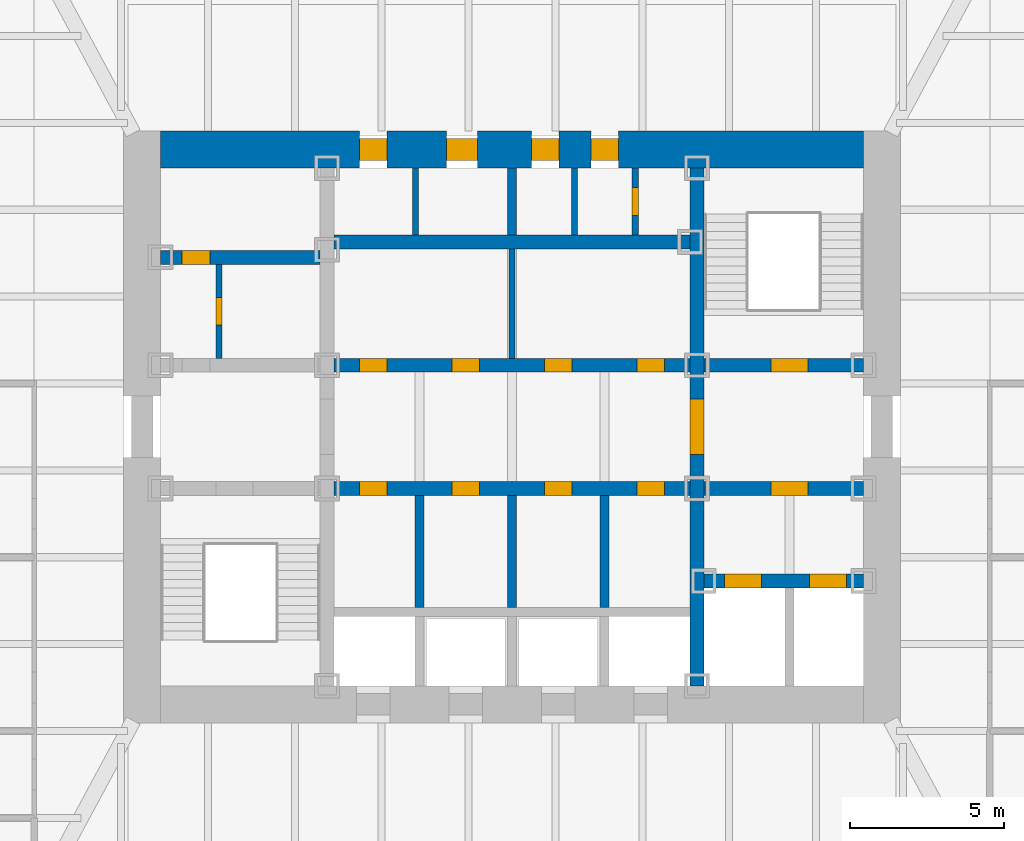
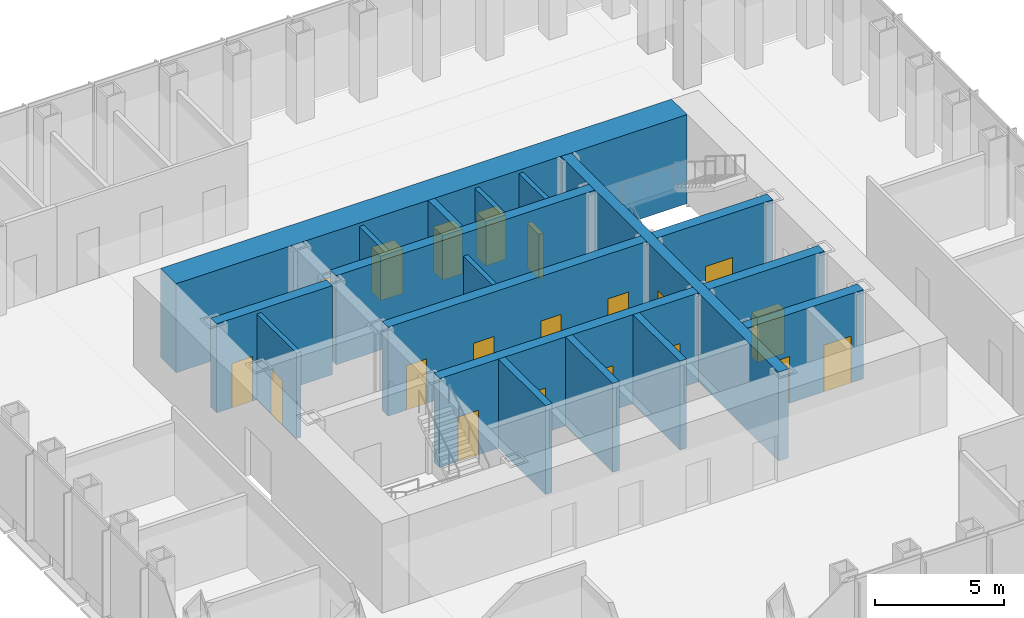
# One storey, part 9 of 16: 20 doors, 18 walls, 20 openings.
"""IFC4 building model written with IfcOpenShell, lengths in metres."""

from ifc_helpers import new_model, si_unit, direction, frame, frame_2d, origin, place, context, subcontext, project, spatial, rectangle, extrude, material, layer, layer_set, type_object, element, fill, save


model = new_model("IFC4")

# Units and contexts
model_context = context("Model", 3, precision=1e-05, world=origin(), true_north=direction((0.0, 1.0)))
body_context = subcontext(model_context, "Body", "Model", "MODEL_VIEW")
ifc_project = project(units=[si_unit("LENGTHUNIT", "METRE"), si_unit("AREAUNIT", "SQUARE_METRE"), si_unit("VOLUMEUNIT", "CUBIC_METRE"), si_unit("PLANEANGLEUNIT", "RADIAN"), si_unit("MASSUNIT", "GRAM", prefix="KILO")], contexts=[model_context])

# Site, building, storey
site_placement = place(None, origin())
site = spatial("IfcSite", under=ifc_project, at=site_placement, CompositionType="ELEMENT")
building_placement = place(site_placement, origin())
building = spatial("IfcBuilding", under=site, at=building_placement, Name="Daluyong Arena Tower", CompositionType="ELEMENT")
storey_placement = place(building_placement, frame((0.0, 0.0, 235.89990234375)))
storey = spatial("IfcBuildingStorey", under=building, at=storey_placement, Name="L53", CompositionType="ELEMENT", Elevation=235.89990234375)

# Wall, opening, door
ifc_material_1 = material(Name="Concrete fc' 45 MPa", Category="concrete")
ifc_layer_1 = layer(ifc_material_1, 0.449951171875)
ifc_layer_set_1 = layer_set([ifc_layer_1], Name="Concrete fc' 45 MPa")
wall_type_1 = type_object("IfcWallType", Name="Core inner wall 450", PredefinedType="SHEAR", material=ifc_layer_set_1)
wall_1_placement = place(storey_placement, frame((62.0, 71.60009765625, 0.0), z_axis=(0.0, 0.0, 1.0), x_axis=(0.0, 1.0, 0.0)))
wall_1 = element("IfcWall", 1, at=wall_1_placement, inside=storey, type_object=wall_type_1, Name="core inner wall at L53", PredefinedType="SHEAR", context=body_context, shape_type="SweptSolid", body=[
    extrude(rectangle(XDim=16.7998046875, YDim=0.449951171875, at=frame_2d((8.39990234375, 0.0))), origin(), (0.0, 0.0, 1.0), 4.2001953125),
])
opening_1_placement = place(wall_1_placement, frame((7.5, 0.0, 0.0)))
opening_1 = element("IfcOpeningElement", 2, at=opening_1_placement, cuts=wall_1, Name="Opening 53022", PredefinedType="OPENING", context=body_context, shape_type="SweptSolid", body=[
    extrude(rectangle(XDim=1.800048828125, YDim=2.39990234375, at=frame_2d((0.89990234375, 1.199951171875))), frame((0.0, 0.23486328125, 0.0), z_axis=(0.0, -1.0, 0.0), x_axis=(1.0, 0.0, 0.0)), (0.0, 0.0, 1.0), 0.469970703125),
])
ifc_material_2 = material(Name="Steel door, fire rated", Category="steel")
door_type_1 = type_object("IfcDoorType", Name="Lift lobby opening door 1800", OperationType="DOUBLE_DOOR_SINGLE_SWING", PredefinedType="DOOR", material=ifc_material_2)
door_1_placement = place(opening_1_placement, origin())
door_1 = element("IfcDoor", 3, at=door_1_placement, inside=storey, type_object=door_type_1, Name="lift lobby door east 53022", OperationType="DOUBLE_DOOR_SINGLE_SWING", OverallHeight=2.39990234375, OverallWidth=1.800048828125, PredefinedType="DOOR", context=body_context, shape_type="SweptSolid", body=[
    extrude(rectangle(XDim=1.800048828125, YDim=2.39990234375, at=frame_2d((0.89990234375, 1.199951171875))), frame((0.0, 0.224609375, 0.0), z_axis=(0.0, -1.0, 0.0), x_axis=(1.0, 0.0, 0.0)), (0.0, 0.0, 1.0), 0.449462890625),
])
fill(opening_1, door_1)

wall_2_placement = place(storey_placement, frame((44.60009765625, 85.5, 0.0), z_axis=(0.0, 0.0, 1.0), x_axis=(1.0, 0.0, 0.0)))
wall_2 = element("IfcWall", 4, at=wall_2_placement, inside=storey, type_object=wall_type_1, Name="core inner wall at L53", PredefinedType="SHEAR", context=body_context, shape_type="SweptSolid", body=[
    extrude(rectangle(XDim=5.1748046875, YDim=0.449951171875, at=frame_2d((2.58740234375, 0.0))), origin(), (0.0, 0.0, 1.0), 4.2001953125),
])
opening_2_placement = place(wall_2_placement, frame((0.699951171875, 0.0, 0.0)))
opening_2 = element("IfcOpeningElement", 5, at=opening_2_placement, cuts=wall_2, Name="Opening 53003", PredefinedType="OPENING", context=body_context, shape_type="SweptSolid", body=[
    extrude(rectangle(XDim=0.89990234375, YDim=2.10009765625, at=frame_2d((0.449951171875, 1.050048828125))), frame((0.0, 0.23486328125, 0.0), z_axis=(0.0, -1.0, 0.0), x_axis=(1.0, 0.0, 0.0)), (0.0, 0.0, 1.0), 0.469970703125),
])
ifc_material_3 = material(Name="Timber door", Category="wood")
door_type_2 = type_object("IfcDoorType", Name="Toilet door 900", OperationType="SINGLE_SWING_RIGHT", PredefinedType="DOOR", material=ifc_material_3)
door_2_placement = place(opening_2_placement, origin())
door_2 = element("IfcDoor", 6, at=door_2_placement, inside=storey, type_object=door_type_2, Name="female toilet door 53003", OperationType="SINGLE_SWING_RIGHT", OverallHeight=2.10009765625, OverallWidth=0.89990234375, PredefinedType="DOOR", context=body_context, shape_type="SweptSolid", body=[
    extrude(rectangle(XDim=0.89990234375, YDim=2.10009765625, at=frame_2d((0.449951171875, 1.050048828125))), frame((0.0, 0.224609375, 0.0), z_axis=(0.0, -1.0, 0.0), x_axis=(1.0, 0.0, 0.0)), (0.0, 0.0, 1.0), 0.449462890625),
])
fill(opening_2, door_2)

# Wall, openings, doors
wall_3_placement = place(storey_placement, frame((62.22509765625, 75.0, 0.0), z_axis=(0.0, 0.0, 1.0), x_axis=(1.0, 0.0, 0.0)))
wall_3 = element("IfcWall", 7, at=wall_3_placement, inside=storey, type_object=wall_type_1, Name="core inner wall at L53", PredefinedType="SHEAR", context=body_context, shape_type="SweptSolid", body=[
    extrude(rectangle(XDim=5.1748046875, YDim=0.449951171875, at=frame_2d((2.58740234375, 0.0))), origin(), (0.0, 0.0, 1.0), 4.2001953125),
])
opening_3_placement = place(wall_3_placement, frame((0.675048828125, 0.0, 0.0)))
opening_3 = element("IfcOpeningElement", 8, at=opening_3_placement, cuts=wall_3, Name="Opening 53028", PredefinedType="OPENING", context=body_context, shape_type="SweptSolid", body=[
    extrude(rectangle(XDim=1.199951171875, YDim=2.199951171875, at=frame_2d((0.60009765625, 1.10009765625))), frame((0.0, 0.23486328125, 0.0), z_axis=(0.0, -1.0, 0.0), x_axis=(1.0, 0.0, 0.0)), (0.0, 0.0, 1.0), 0.469970703125),
])
opening_4_placement = place(wall_3_placement, frame((3.425048828125, 0.0, 0.0)))
opening_4 = element("IfcOpeningElement", 9, at=opening_4_placement, cuts=wall_3, Name="Opening 53029", PredefinedType="OPENING", context=body_context, shape_type="SweptSolid", body=[
    extrude(rectangle(XDim=1.199951171875, YDim=2.199951171875, at=frame_2d((0.60009765625, 1.10009765625))), frame((0.0, 0.23486328125, 0.0), z_axis=(0.0, -1.0, 0.0), x_axis=(1.0, 0.0, 0.0)), (0.0, 0.0, 1.0), 0.469970703125),
])
ifc_material_4 = material(Name="Steel door, fire rated", Category="steel")
door_type_3 = type_object("IfcDoorType", Name="Firefighting lift landing door 1200", OperationType="SLIDING_TO_LEFT", PredefinedType="DOOR", material=ifc_material_4)
door_3_placement = place(opening_3_placement, origin())
door_3 = element("IfcDoor", 10, at=door_3_placement, inside=storey, type_object=door_type_3, Name="firefighting lift landing door F1 53028", OperationType="SLIDING_TO_LEFT", OverallHeight=2.199951171875, OverallWidth=1.199951171875, PredefinedType="DOOR", context=body_context, shape_type="SweptSolid", body=[
    extrude(rectangle(XDim=1.199951171875, YDim=2.199951171875, at=frame_2d((0.60009765625, 1.10009765625))), frame((0.0, 0.224609375, 0.0), z_axis=(0.0, -1.0, 0.0), x_axis=(1.0, 0.0, 0.0)), (0.0, 0.0, 1.0), 0.449462890625),
])
fill(opening_3, door_3)
door_4_placement = place(opening_4_placement, origin())
door_4 = element("IfcDoor", 11, at=door_4_placement, inside=storey, type_object=door_type_3, Name="firefighting lift landing door F2 53029", OperationType="SLIDING_TO_LEFT", OverallHeight=2.199951171875, OverallWidth=1.199951171875, PredefinedType="DOOR", context=body_context, shape_type="SweptSolid", body=[
    extrude(rectangle(XDim=1.199951171875, YDim=2.199951171875, at=frame_2d((0.60009765625, 1.10009765625))), frame((0.0, 0.224609375, 0.0), z_axis=(0.0, -1.0, 0.0), x_axis=(1.0, 0.0, 0.0)), (0.0, 0.0, 1.0), 0.449462890625),
])
fill(opening_4, door_4)

# Wall, opening, door
wall_4_placement = place(storey_placement, frame((62.22509765625, 78.0, 0.0), z_axis=(0.0, 0.0, 1.0), x_axis=(1.0, 0.0, 0.0)))
wall_4 = element("IfcWall", 12, at=wall_4_placement, inside=storey, type_object=wall_type_1, Name="core inner wall at L53", PredefinedType="SHEAR", context=body_context, shape_type="SweptSolid", body=[
    extrude(rectangle(XDim=5.1748046875, YDim=0.449951171875, at=frame_2d((2.58740234375, 0.0))), origin(), (0.0, 0.0, 1.0), 4.2001953125),
])
opening_5_placement = place(wall_4_placement, frame((2.175048828125, 0.0, 0.0)))
opening_5 = element("IfcOpeningElement", 13, at=opening_5_placement, cuts=wall_4, Name="Opening 53023", PredefinedType="OPENING", context=body_context, shape_type="SweptSolid", body=[
    extrude(rectangle(XDim=1.199951171875, YDim=2.10009765625, at=frame_2d((0.60009765625, 1.050048828125))), frame((0.0, 0.23486328125, 0.0), z_axis=(0.0, -1.0, 0.0), x_axis=(1.0, 0.0, 0.0)), (0.0, 0.0, 1.0), 0.469970703125),
])
ifc_material_5 = material(Name="Steel door, fire rated", Category="steel")
door_type_4 = type_object("IfcDoorType", Name="Firefighting lobby door 1200", OperationType="SINGLE_SWING_RIGHT", PredefinedType="DOOR", material=ifc_material_5)
door_5_placement = place(opening_5_placement, origin())
door_5 = element("IfcDoor", 14, at=door_5_placement, inside=storey, type_object=door_type_4, Name="firefighting lobby door 53023", OperationType="SINGLE_SWING_RIGHT", OverallHeight=2.10009765625, OverallWidth=1.199951171875, PredefinedType="DOOR", context=body_context, shape_type="SweptSolid", body=[
    extrude(rectangle(XDim=1.199951171875, YDim=2.10009765625, at=frame_2d((0.60009765625, 1.050048828125))), frame((0.0, 0.224609375, 0.0), z_axis=(0.0, -1.0, 0.0), x_axis=(1.0, 0.0, 0.0)), (0.0, 0.0, 1.0), 0.449462890625),
])
fill(opening_5, door_5)

wall_5_placement = place(storey_placement, frame((62.22509765625, 82.0, 0.0), z_axis=(0.0, 0.0, 1.0), x_axis=(1.0, 0.0, 0.0)))
wall_5 = element("IfcWall", 15, at=wall_5_placement, inside=storey, type_object=wall_type_1, Name="core inner wall at L53", PredefinedType="SHEAR", context=body_context, shape_type="SweptSolid", body=[
    extrude(rectangle(XDim=5.1748046875, YDim=0.449951171875, at=frame_2d((2.58740234375, 0.0))), origin(), (0.0, 0.0, 1.0), 4.2001953125),
])
opening_6_placement = place(wall_5_placement, frame((2.175048828125, 0.0, 0.0)))
opening_6 = element("IfcOpeningElement", 16, at=opening_6_placement, cuts=wall_5, Name="Opening 53018", PredefinedType="OPENING", context=body_context, shape_type="SweptSolid", body=[
    extrude(rectangle(XDim=1.199951171875, YDim=2.10009765625, at=frame_2d((0.60009765625, 1.050048828125))), frame((0.0, 0.23486328125, 0.0), z_axis=(0.0, -1.0, 0.0), x_axis=(1.0, 0.0, 0.0)), (0.0, 0.0, 1.0), 0.469970703125),
])
ifc_material_6 = material(Name="Steel door, fire rated", Category="steel")
door_type_5 = type_object("IfcDoorType", Name="Stair door 1200", OperationType="SINGLE_SWING_LEFT", PredefinedType="DOOR", material=ifc_material_6)
door_6_placement = place(opening_6_placement, origin())
door_6 = element("IfcDoor", 17, at=door_6_placement, inside=storey, type_object=door_type_5, Name="stair B door 53018", OperationType="SINGLE_SWING_LEFT", OverallHeight=2.10009765625, OverallWidth=1.199951171875, PredefinedType="DOOR", context=body_context, shape_type="SweptSolid", body=[
    extrude(rectangle(XDim=1.199951171875, YDim=2.10009765625, at=frame_2d((0.60009765625, 1.050048828125))), frame((0.0, 0.224609375, 0.0), z_axis=(0.0, -1.0, 0.0), x_axis=(1.0, 0.0, 0.0)), (0.0, 0.0, 1.0), 0.449462890625),
])
fill(opening_6, door_6)

# Wall, openings, doors
wall_6_placement = place(storey_placement, frame((50.22509765625, 78.0, 0.0), z_axis=(0.0, 0.0, 1.0), x_axis=(1.0, 0.0, 0.0)))
wall_6 = element("IfcWall", 18, at=wall_6_placement, inside=storey, type_object=wall_type_1, Name="core inner wall at L53", PredefinedType="SHEAR", context=body_context, shape_type="SweptSolid", body=[
    extrude(rectangle(XDim=11.5498046875, YDim=0.449951171875, at=frame_2d((5.77490234375, 0.0))), origin(), (0.0, 0.0, 1.0), 4.2001953125),
])
opening_7_placement = place(wall_6_placement, frame((0.824951171875, 0.0, 0.0)))
opening_7 = element("IfcOpeningElement", 19, at=opening_7_placement, cuts=wall_6, Name="Opening 53009", PredefinedType="OPENING", context=body_context, shape_type="SweptSolid", body=[
    extrude(rectangle(XDim=0.89990234375, YDim=2.10009765625, at=frame_2d((0.449951171875, 1.050048828125))), frame((0.0, 0.23486328125, 0.0), z_axis=(0.0, -1.0, 0.0), x_axis=(1.0, 0.0, 0.0)), (0.0, 0.0, 1.0), 0.469970703125),
])
opening_8_placement = place(wall_6_placement, frame((3.824951171875, 0.0, 0.0)))
opening_8 = element("IfcOpeningElement", 20, at=opening_8_placement, cuts=wall_6, Name="Opening 53010", PredefinedType="OPENING", context=body_context, shape_type="SweptSolid", body=[
    extrude(rectangle(XDim=0.89990234375, YDim=2.10009765625, at=frame_2d((0.449951171875, 1.050048828125))), frame((0.0, 0.23486328125, 0.0), z_axis=(0.0, -1.0, 0.0), x_axis=(1.0, 0.0, 0.0)), (0.0, 0.0, 1.0), 0.469970703125),
])
opening_9_placement = place(wall_6_placement, frame((6.824951171875, 0.0, 0.0)))
opening_9 = element("IfcOpeningElement", 21, at=opening_9_placement, cuts=wall_6, Name="Opening 53011", PredefinedType="OPENING", context=body_context, shape_type="SweptSolid", body=[
    extrude(rectangle(XDim=0.89990234375, YDim=2.10009765625, at=frame_2d((0.449951171875, 1.050048828125))), frame((0.0, 0.23486328125, 0.0), z_axis=(0.0, -1.0, 0.0), x_axis=(1.0, 0.0, 0.0)), (0.0, 0.0, 1.0), 0.469970703125),
])
opening_10_placement = place(wall_6_placement, frame((9.824951171875, 0.0, 0.0)))
opening_10 = element("IfcOpeningElement", 22, at=opening_10_placement, cuts=wall_6, Name="Opening 53012", PredefinedType="OPENING", context=body_context, shape_type="SweptSolid", body=[
    extrude(rectangle(XDim=0.89990234375, YDim=2.10009765625, at=frame_2d((0.449951171875, 1.050048828125))), frame((0.0, 0.23486328125, 0.0), z_axis=(0.0, -1.0, 0.0), x_axis=(1.0, 0.0, 0.0)), (0.0, 0.0, 1.0), 0.469970703125),
])
ifc_material_7 = material(Name="Steel door, fire rated", Category="steel")
door_type_6 = type_object("IfcDoorType", Name="Core room door 900", OperationType="SINGLE_SWING_LEFT", PredefinedType="DOOR", material=ifc_material_7)
door_7_placement = place(opening_10_placement, origin())
door_7 = element("IfcDoor", 23, at=door_7_placement, inside=storey, type_object=door_type_6, Name="vending room door 53012", OperationType="SINGLE_SWING_LEFT", OverallHeight=2.10009765625, OverallWidth=0.89990234375, PredefinedType="DOOR", context=body_context, shape_type="SweptSolid", body=[
    extrude(rectangle(XDim=0.89990234375, YDim=2.10009765625, at=frame_2d((0.449951171875, 1.050048828125))), frame((0.0, 0.224609375, 0.0), z_axis=(0.0, -1.0, 0.0), x_axis=(1.0, 0.0, 0.0)), (0.0, 0.0, 1.0), 0.449462890625),
])
fill(opening_10, door_7)
ifc_material_8 = material(Name="Steel door, fire rated", Category="steel")
door_type_7 = type_object("IfcDoorType", Name="Core store door 900", OperationType="SINGLE_SWING_LEFT", PredefinedType="DOOR", material=ifc_material_8)
door_8_placement = place(opening_7_placement, origin())
door_8 = element("IfcDoor", 24, at=door_8_placement, inside=storey, type_object=door_type_7, Name="tenant store door 53009", OperationType="SINGLE_SWING_LEFT", OverallHeight=2.10009765625, OverallWidth=0.89990234375, PredefinedType="DOOR", context=body_context, shape_type="SweptSolid", body=[
    extrude(rectangle(XDim=0.89990234375, YDim=2.10009765625, at=frame_2d((0.449951171875, 1.050048828125))), frame((0.0, 0.224609375, 0.0), z_axis=(0.0, -1.0, 0.0), x_axis=(1.0, 0.0, 0.0)), (0.0, 0.0, 1.0), 0.449462890625),
])
fill(opening_7, door_8)
door_9_placement = place(opening_8_placement, origin())
door_9 = element("IfcDoor", 25, at=door_9_placement, inside=storey, type_object=door_type_7, Name="stationery store door 53010", OperationType="SINGLE_SWING_LEFT", OverallHeight=2.10009765625, OverallWidth=0.89990234375, PredefinedType="DOOR", context=body_context, shape_type="SweptSolid", body=[
    extrude(rectangle(XDim=0.89990234375, YDim=2.10009765625, at=frame_2d((0.449951171875, 1.050048828125))), frame((0.0, 0.224609375, 0.0), z_axis=(0.0, -1.0, 0.0), x_axis=(1.0, 0.0, 0.0)), (0.0, 0.0, 1.0), 0.449462890625),
])
fill(opening_8, door_9)
door_10_placement = place(opening_9_placement, origin())
door_10 = element("IfcDoor", 26, at=door_10_placement, inside=storey, type_object=door_type_7, Name="facilities store door 53011", OperationType="SINGLE_SWING_LEFT", OverallHeight=2.10009765625, OverallWidth=0.89990234375, PredefinedType="DOOR", context=body_context, shape_type="SweptSolid", body=[
    extrude(rectangle(XDim=0.89990234375, YDim=2.10009765625, at=frame_2d((0.449951171875, 1.050048828125))), frame((0.0, 0.224609375, 0.0), z_axis=(0.0, -1.0, 0.0), x_axis=(1.0, 0.0, 0.0)), (0.0, 0.0, 1.0), 0.449462890625),
])
fill(opening_9, door_10)

wall_7_placement = place(storey_placement, frame((50.22509765625, 82.0, 0.0), z_axis=(0.0, 0.0, 1.0), x_axis=(1.0, 0.0, 0.0)))
wall_7 = element("IfcWall", 27, at=wall_7_placement, inside=storey, type_object=wall_type_1, Name="core inner wall at L53", PredefinedType="SHEAR", context=body_context, shape_type="SweptSolid", body=[
    extrude(rectangle(XDim=11.5498046875, YDim=0.449951171875, at=frame_2d((5.77490234375, 0.0))), origin(), (0.0, 0.0, 1.0), 4.2001953125),
])
opening_11_placement = place(wall_7_placement, frame((0.824951171875, 0.0, 0.0)))
opening_11 = element("IfcOpeningElement", 28, at=opening_11_placement, cuts=wall_7, Name="Opening 53013", PredefinedType="OPENING", context=body_context, shape_type="SweptSolid", body=[
    extrude(rectangle(XDim=0.89990234375, YDim=2.10009765625, at=frame_2d((0.449951171875, 1.050048828125))), frame((0.0, 0.23486328125, 0.0), z_axis=(0.0, -1.0, 0.0), x_axis=(1.0, 0.0, 0.0)), (0.0, 0.0, 1.0), 0.469970703125),
])
opening_12_placement = place(wall_7_placement, frame((3.824951171875, 0.0, 0.0)))
opening_12 = element("IfcOpeningElement", 29, at=opening_12_placement, cuts=wall_7, Name="Opening 53014", PredefinedType="OPENING", context=body_context, shape_type="SweptSolid", body=[
    extrude(rectangle(XDim=0.89990234375, YDim=2.10009765625, at=frame_2d((0.449951171875, 1.050048828125))), frame((0.0, 0.23486328125, 0.0), z_axis=(0.0, -1.0, 0.0), x_axis=(1.0, 0.0, 0.0)), (0.0, 0.0, 1.0), 0.469970703125),
])
opening_13_placement = place(wall_7_placement, frame((6.824951171875, 0.0, 0.0)))
opening_13 = element("IfcOpeningElement", 30, at=opening_13_placement, cuts=wall_7, Name="Opening 53015", PredefinedType="OPENING", context=body_context, shape_type="SweptSolid", body=[
    extrude(rectangle(XDim=0.89990234375, YDim=2.10009765625, at=frame_2d((0.449951171875, 1.050048828125))), frame((0.0, 0.23486328125, 0.0), z_axis=(0.0, -1.0, 0.0), x_axis=(1.0, 0.0, 0.0)), (0.0, 0.0, 1.0), 0.469970703125),
])
opening_14_placement = place(wall_7_placement, frame((9.824951171875, 0.0, 0.0)))
opening_14 = element("IfcOpeningElement", 31, at=opening_14_placement, cuts=wall_7, Name="Opening 53016", PredefinedType="OPENING", context=body_context, shape_type="SweptSolid", body=[
    extrude(rectangle(XDim=0.89990234375, YDim=2.10009765625, at=frame_2d((0.449951171875, 1.050048828125))), frame((0.0, 0.23486328125, 0.0), z_axis=(0.0, -1.0, 0.0), x_axis=(1.0, 0.0, 0.0)), (0.0, 0.0, 1.0), 0.469970703125),
])
door_11_placement = place(opening_11_placement, origin())
door_11 = element("IfcDoor", 32, at=door_11_placement, inside=storey, type_object=door_type_7, Name="furniture store door 53013", OperationType="SINGLE_SWING_LEFT", OverallHeight=2.10009765625, OverallWidth=0.89990234375, PredefinedType="DOOR", context=body_context, shape_type="SweptSolid", body=[
    extrude(rectangle(XDim=0.89990234375, YDim=2.10009765625, at=frame_2d((0.449951171875, 1.050048828125))), frame((0.0, 0.224609375, 0.0), z_axis=(0.0, -1.0, 0.0), x_axis=(1.0, 0.0, 0.0)), (0.0, 0.0, 1.0), 0.449462890625),
])
fill(opening_11, door_11)
door_12_placement = place(opening_12_placement, origin())
door_12 = element("IfcDoor", 33, at=door_12_placement, inside=storey, type_object=door_type_7, Name="furniture store door 53014", OperationType="SINGLE_SWING_LEFT", OverallHeight=2.10009765625, OverallWidth=0.89990234375, PredefinedType="DOOR", context=body_context, shape_type="SweptSolid", body=[
    extrude(rectangle(XDim=0.89990234375, YDim=2.10009765625, at=frame_2d((0.449951171875, 1.050048828125))), frame((0.0, 0.224609375, 0.0), z_axis=(0.0, -1.0, 0.0), x_axis=(1.0, 0.0, 0.0)), (0.0, 0.0, 1.0), 0.449462890625),
])
fill(opening_12, door_12)
ifc_material_9 = material(Name="Steel door, fire rated", Category="steel")
door_type_8 = type_object("IfcDoorType", Name="Plant room door 900", OperationType="SINGLE_SWING_LEFT", PredefinedType="DOOR", material=ifc_material_9)
door_13_placement = place(opening_13_placement, origin())
door_13 = element("IfcDoor", 34, at=door_13_placement, inside=storey, type_object=door_type_8, Name="comms room door 53015", OperationType="SINGLE_SWING_LEFT", OverallHeight=2.10009765625, OverallWidth=0.89990234375, PredefinedType="DOOR", context=body_context, shape_type="SweptSolid", body=[
    extrude(rectangle(XDim=0.89990234375, YDim=2.10009765625, at=frame_2d((0.449951171875, 1.050048828125))), frame((0.0, 0.224609375, 0.0), z_axis=(0.0, -1.0, 0.0), x_axis=(1.0, 0.0, 0.0)), (0.0, 0.0, 1.0), 0.449462890625),
])
fill(opening_13, door_13)
door_14_placement = place(opening_14_placement, origin())
door_14 = element("IfcDoor", 35, at=door_14_placement, inside=storey, type_object=door_type_8, Name="comms room door 53016", OperationType="SINGLE_SWING_LEFT", OverallHeight=2.10009765625, OverallWidth=0.89990234375, PredefinedType="DOOR", context=body_context, shape_type="SweptSolid", body=[
    extrude(rectangle(XDim=0.89990234375, YDim=2.10009765625, at=frame_2d((0.449951171875, 1.050048828125))), frame((0.0, 0.224609375, 0.0), z_axis=(0.0, -1.0, 0.0), x_axis=(1.0, 0.0, 0.0)), (0.0, 0.0, 1.0), 0.449462890625),
])
fill(opening_14, door_14)

# Wall
wall_8_placement = place(storey_placement, frame((50.22509765625, 86.0, 0.0), z_axis=(0.0, 0.0, 1.0), x_axis=(1.0, 0.0, 0.0)))
element("IfcWall", 36, at=wall_8_placement, inside=storey, type_object=wall_type_1, Name="core inner wall at L53", PredefinedType="SHEAR", context=body_context, shape_type="SweptSolid", body=[
    extrude(rectangle(XDim=11.5498046875, YDim=0.449951171875, at=frame_2d((5.77490234375, 0.0))), origin(), (0.0, 0.0, 1.0), 4.2001953125),
])

# Wall, openings, doors
ifc_material_10 = material(Name="Concrete fc' 60 MPa", Category="concrete")
ifc_layer_2 = layer(ifc_material_10, 1.199951171875)
ifc_layer_set_2 = layer_set([ifc_layer_2], Name="Concrete fc' 60 MPa")
wall_type_2 = type_object("IfcWallType", Name="Core wall 1200", PredefinedType="SHEAR", material=ifc_layer_set_2)
wall_9_placement = place(storey_placement, frame((44.60009765625, 89.0, 0.0), z_axis=(0.0, 0.0, 1.0), x_axis=(1.0, 0.0, 0.0)))
wall_9 = element("IfcWall", 37, at=wall_9_placement, inside=storey, type_object=wall_type_2, Name="core wall at L53", PredefinedType="SHEAR", context=body_context, shape_type="SweptSolid", body=[
    extrude(rectangle(XDim=22.7998046875, YDim=1.199951171875, at=frame_2d((11.39990234375, 0.0))), origin(), (0.0, 0.0, 1.0), 4.2001953125),
])
opening_15_placement = place(wall_9_placement, frame((9.27490234375, 0.0, 0.0)))
opening_15 = element("IfcOpeningElement", 38, at=opening_15_placement, cuts=wall_9, Name="Opening 53004", PredefinedType="OPENING", context=body_context, shape_type="SweptSolid", body=[
    extrude(rectangle(XDim=1.0, YDim=2.10009765625, at=frame_2d((0.5, 1.050048828125))), frame((0.0, 0.60986328125, 0.0), z_axis=(0.0, -1.0, 0.0), x_axis=(1.0, 0.0, 0.0)), (0.0, 0.0, 1.0), 1.219970703125),
])
opening_16_placement = place(wall_9_placement, frame((6.449951171875, 0.0, 0.0)))
opening_16 = element("IfcOpeningElement", 39, at=opening_16_placement, cuts=wall_9, Name="Opening 53005", PredefinedType="OPENING", context=body_context, shape_type="SweptSolid", body=[
    extrude(rectangle(XDim=0.89990234375, YDim=2.10009765625, at=frame_2d((0.449951171875, 1.050048828125))), frame((0.0, 0.60986328125, 0.0), z_axis=(0.0, -1.0, 0.0), x_axis=(1.0, 0.0, 0.0)), (0.0, 0.0, 1.0), 1.219970703125),
])
opening_17_placement = place(wall_9_placement, frame((12.02490234375, 0.0, 0.0)))
opening_17 = element("IfcOpeningElement", 40, at=opening_17_placement, cuts=wall_9, Name="Opening 53006", PredefinedType="OPENING", context=body_context, shape_type="SweptSolid", body=[
    extrude(rectangle(XDim=0.89990234375, YDim=2.10009765625, at=frame_2d((0.449951171875, 1.050048828125))), frame((0.0, 0.60986328125, 0.0), z_axis=(0.0, -1.0, 0.0), x_axis=(1.0, 0.0, 0.0)), (0.0, 0.0, 1.0), 1.219970703125),
])
opening_18_placement = place(wall_9_placement, frame((13.96240234375, 0.0, 0.0)))
opening_18 = element("IfcOpeningElement", 41, at=opening_18_placement, cuts=wall_9, Name="Opening 53007", PredefinedType="OPENING", context=body_context, shape_type="SweptSolid", body=[
    extrude(rectangle(XDim=0.89990234375, YDim=2.10009765625, at=frame_2d((0.449951171875, 1.050048828125))), frame((0.0, 0.60986328125, 0.0), z_axis=(0.0, -1.0, 0.0), x_axis=(1.0, 0.0, 0.0)), (0.0, 0.0, 1.0), 1.219970703125),
])
ifc_material_11 = material(Name="Timber door", Category="wood")
door_type_9 = type_object("IfcDoorType", Name="Accessible toilet door 1000", OperationType="SINGLE_SWING_LEFT", PredefinedType="DOOR", material=ifc_material_11)
door_15_placement = place(opening_15_placement, origin())
door_15 = element("IfcDoor", 42, at=door_15_placement, inside=storey, type_object=door_type_9, Name="accessible toilet door 53004", OperationType="SINGLE_SWING_LEFT", OverallHeight=2.10009765625, OverallWidth=1.0, PredefinedType="DOOR", context=body_context, shape_type="SweptSolid", body=[
    extrude(rectangle(XDim=1.0, YDim=2.10009765625, at=frame_2d((0.5, 1.050048828125))), frame((0.0, 0.35009765625, 0.0), z_axis=(0.0, -1.0, 0.0), x_axis=(1.0, 0.0, 0.0)), (0.0, 0.0, 1.0), 0.699951171875),
])
fill(opening_15, door_15)
door_16_placement = place(opening_17_placement, origin())
door_16 = element("IfcDoor", 43, at=door_16_placement, inside=storey, type_object=door_type_6, Name="tea point door 53006", OperationType="SINGLE_SWING_LEFT", OverallHeight=2.10009765625, OverallWidth=0.89990234375, PredefinedType="DOOR", context=body_context, shape_type="SweptSolid", body=[
    extrude(rectangle(XDim=0.89990234375, YDim=2.10009765625, at=frame_2d((0.449951171875, 1.050048828125))), frame((0.0, 0.35009765625, 0.0), z_axis=(0.0, -1.0, 0.0), x_axis=(1.0, 0.0, 0.0)), (0.0, 0.0, 1.0), 0.699951171875),
])
fill(opening_17, door_16)
door_17_placement = place(opening_16_placement, origin())
door_17 = element("IfcDoor", 44, at=door_17_placement, inside=storey, type_object=door_type_7, Name="security store door 53005", OperationType="SINGLE_SWING_LEFT", OverallHeight=2.10009765625, OverallWidth=0.89990234375, PredefinedType="DOOR", context=body_context, shape_type="SweptSolid", body=[
    extrude(rectangle(XDim=0.89990234375, YDim=2.10009765625, at=frame_2d((0.449951171875, 1.050048828125))), frame((0.0, 0.35009765625, 0.0), z_axis=(0.0, -1.0, 0.0), x_axis=(1.0, 0.0, 0.0)), (0.0, 0.0, 1.0), 0.699951171875),
])
fill(opening_16, door_17)
door_18_placement = place(opening_18_placement, origin())
door_18 = element("IfcDoor", 45, at=door_18_placement, inside=storey, type_object=door_type_7, Name="cleaner's store door 53007", OperationType="SINGLE_SWING_LEFT", OverallHeight=2.10009765625, OverallWidth=0.89990234375, PredefinedType="DOOR", context=body_context, shape_type="SweptSolid", body=[
    extrude(rectangle(XDim=0.89990234375, YDim=2.10009765625, at=frame_2d((0.449951171875, 1.050048828125))), frame((0.0, 0.35009765625, 0.0), z_axis=(0.0, -1.0, 0.0), x_axis=(1.0, 0.0, 0.0)), (0.0, 0.0, 1.0), 0.699951171875),
])
fill(opening_18, door_18)

# Wall, opening, door
ifc_material_12 = material(Name="Concrete block partition, fire rated", Category="concrete")
ifc_layer_3 = layer(ifc_material_12, 0.199951171875)
ifc_layer_set_3 = layer_set([ifc_layer_3], Name="Concrete block partition, fire rated")
wall_type_3 = type_object("IfcWallType", Name="Fire-rated partition 200", PredefinedType="PARTITIONING", material=ifc_layer_set_3)
wall_10_placement = place(storey_placement, frame((46.5, 82.22509765625, 0.0), z_axis=(0.0, 0.0, 1.0), x_axis=(0.0, 1.0, 0.0)))
wall_10 = element("IfcWall", 46, at=wall_10_placement, inside=storey, type_object=wall_type_3, Name="toilet lobby partition at L53", PredefinedType="PARTITIONING", context=body_context, shape_type="SweptSolid", body=[
    extrude(rectangle(XDim=3.0498046875, YDim=0.199951171875, at=frame_2d((1.52490234375, 0.0))), origin(), (0.0, 0.0, 1.0), 4.0400390625),
])
opening_19_placement = place(wall_10_placement, frame((1.074951171875, 0.0, 0.0)))
opening_19 = element("IfcOpeningElement", 47, at=opening_19_placement, cuts=wall_10, Name="Opening 53002", PredefinedType="OPENING", context=body_context, shape_type="SweptSolid", body=[
    extrude(rectangle(XDim=0.89990234375, YDim=2.10009765625, at=frame_2d((0.449951171875, 1.050048828125))), frame((0.0, 0.10986328125, 0.0), z_axis=(0.0, -1.0, 0.0), x_axis=(1.0, 0.0, 0.0)), (0.0, 0.0, 1.0), 0.219970703125),
])
door_19_placement = place(opening_19_placement, origin())
door_19 = element("IfcDoor", 48, at=door_19_placement, inside=storey, type_object=door_type_2, Name="male toilet door 53002", OperationType="SINGLE_SWING_RIGHT", OverallHeight=2.10009765625, OverallWidth=0.89990234375, PredefinedType="DOOR", context=body_context, shape_type="SweptSolid", body=[
    extrude(rectangle(XDim=0.89990234375, YDim=2.10009765625, at=frame_2d((0.449951171875, 1.050048828125))), frame((0.0, 0.099609375, 0.0), z_axis=(0.0, -1.0, 0.0), x_axis=(1.0, 0.0, 0.0)), (0.0, 0.0, 1.0), 0.199462890625),
])
fill(opening_19, door_19)

# Wall
wall_11_placement = place(storey_placement, frame((52.875, 86.22509765625, 0.0), z_axis=(0.0, 0.0, 1.0), x_axis=(0.0, 1.0, 0.0)))
element("IfcWall", 49, at=wall_11_placement, inside=storey, type_object=wall_type_3, Name="core room partition at L53", PredefinedType="PARTITIONING", context=body_context, shape_type="SweptSolid", body=[
    extrude(rectangle(XDim=2.1748046875, YDim=0.199951171875, at=frame_2d((1.08740234375, 0.0))), origin(), (0.0, 0.0, 1.0), 4.0400390625),
])

# Wall, opening, door
wall_12_placement = place(storey_placement, frame((60.0, 86.22509765625, 0.0), z_axis=(0.0, 0.0, 1.0), x_axis=(0.0, 1.0, 0.0)))
wall_12 = element("IfcWall", 50, at=wall_12_placement, inside=storey, type_object=wall_type_3, Name="electrical riser enclosure at L53", PredefinedType="PARTITIONING", context=body_context, shape_type="SweptSolid", body=[
    extrude(rectangle(XDim=2.1748046875, YDim=0.199951171875, at=frame_2d((1.08740234375, 0.0))), origin(), (0.0, 0.0, 1.0), 4.0400390625),
])
opening_20_placement = place(wall_12_placement, frame((0.637451171875, 0.0, 0.0)))
opening_20 = element("IfcOpeningElement", 51, at=opening_20_placement, cuts=wall_12, Name="Opening 53008", PredefinedType="OPENING", context=body_context, shape_type="SweptSolid", body=[
    extrude(rectangle(XDim=0.89990234375, YDim=2.10009765625, at=frame_2d((0.449951171875, 1.050048828125))), frame((0.0, 0.10986328125, 0.0), z_axis=(0.0, -1.0, 0.0), x_axis=(1.0, 0.0, 0.0)), (0.0, 0.0, 1.0), 0.219970703125),
])
ifc_material_13 = material(Name="Steel door, fire rated", Category="steel")
door_type_10 = type_object("IfcDoorType", Name="Riser door 900", OperationType="SINGLE_SWING_LEFT", PredefinedType="DOOR", material=ifc_material_13)
door_20_placement = place(opening_20_placement, origin())
door_20 = element("IfcDoor", 52, at=door_20_placement, inside=storey, type_object=door_type_10, Name="riser door 53008", OperationType="SINGLE_SWING_LEFT", OverallHeight=2.10009765625, OverallWidth=0.89990234375, PredefinedType="DOOR", context=body_context, shape_type="SweptSolid", body=[
    extrude(rectangle(XDim=0.89990234375, YDim=2.10009765625, at=frame_2d((0.449951171875, 1.050048828125))), frame((0.0, 0.099609375, 0.0), z_axis=(0.0, -1.0, 0.0), x_axis=(1.0, 0.0, 0.0)), (0.0, 0.0, 1.0), 0.199462890625),
])
fill(opening_20, door_20)

# Walls
wall_13_placement = place(storey_placement, frame((58.02490234375, 86.22509765625, 0.0), z_axis=(0.0, 0.0, 1.0), x_axis=(0.0, 1.0, 0.0)))
element("IfcWall", 53, at=wall_13_placement, inside=storey, type_object=wall_type_3, Name="core room partition at L53", PredefinedType="PARTITIONING", context=body_context, shape_type="SweptSolid", body=[
    extrude(rectangle(XDim=2.1748046875, YDim=0.199951171875, at=frame_2d((1.08740234375, 0.0))), origin(), (0.0, 0.0, 1.0), 4.0400390625),
])
wall_14_placement = place(storey_placement, frame((56.0, 82.22509765625, 0.0), z_axis=(0.0, 0.0, 1.0), x_axis=(0.0, 1.0, 0.0)))
element("IfcWall", 54, at=wall_14_placement, inside=storey, type_object=wall_type_3, Name="core room partition at L53", PredefinedType="PARTITIONING", context=body_context, shape_type="SweptSolid", body=[
    extrude(rectangle(XDim=3.5498046875, YDim=0.199951171875, at=frame_2d((1.77490234375, 0.0))), origin(), (0.0, 0.0, 1.0), 3.14013671875),
])
ifc_material_14 = material(Name="Concrete fc' 45 MPa", Category="concrete")
ifc_layer_4 = layer(ifc_material_14, 0.300048828125)
ifc_layer_set_4 = layer_set([ifc_layer_4], Name="Concrete fc' 45 MPa")
wall_type_4 = type_object("IfcWallType", Name="Lift shaft wall 300", PredefinedType="SHEAR", material=ifc_layer_set_4)
for number, where, z_axis, x_axis, name in (
    (55, (53.0, 74.14990234375, 0.0), (0.0, 0.0, 1.0), (0.0, 1.0, 0.0), "lift shaft wall at L53"),
    (56, (56.0, 74.14990234375, 0.0), (0.0, 0.0, 1.0), (0.0, 1.0, 0.0), "lift shaft wall at L53"),
    (57, (59.0, 74.14990234375, 0.0), (0.0, 0.0, 1.0), (0.0, 1.0, 0.0), "lift shaft wall at L53"),
):
    element("IfcWall", number, at=place(storey_placement, frame(where, z_axis=z_axis, x_axis=x_axis)), inside=storey, type_object=wall_type_4, Name=name, PredefinedType="SHEAR", context=body_context, shape_type="SweptSolid", body=[
        extrude(rectangle(XDim=3.625, YDim=0.300048828125, at=frame_2d((1.8125, 0.0))), origin(), (0.0, 0.0, 1.0), 4.2001953125),
    ])
wall_15_placement = place(storey_placement, frame((56.0, 86.22509765625, 0.0), z_axis=(0.0, 0.0, 1.0), x_axis=(0.0, 1.0, 0.0)))
element("IfcWall", 58, at=wall_15_placement, inside=storey, type_object=wall_type_4, Name="lift shaft wall at L53", PredefinedType="SHEAR", context=body_context, shape_type="SweptSolid", body=[
    extrude(rectangle(XDim=2.1748046875, YDim=0.300048828125, at=frame_2d((1.08740234375, 0.0))), origin(), (0.0, 0.0, 1.0), 4.2001953125),
])

save(model, "model.ifc")
